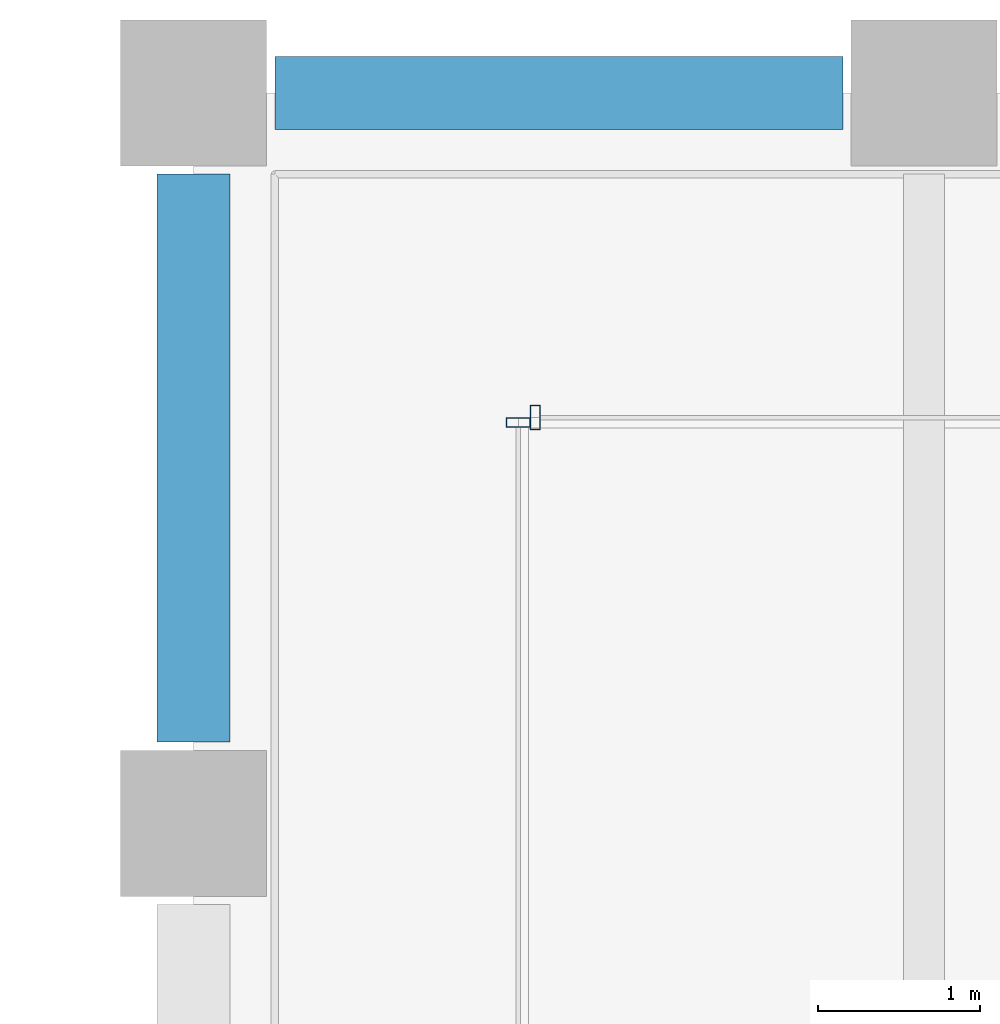
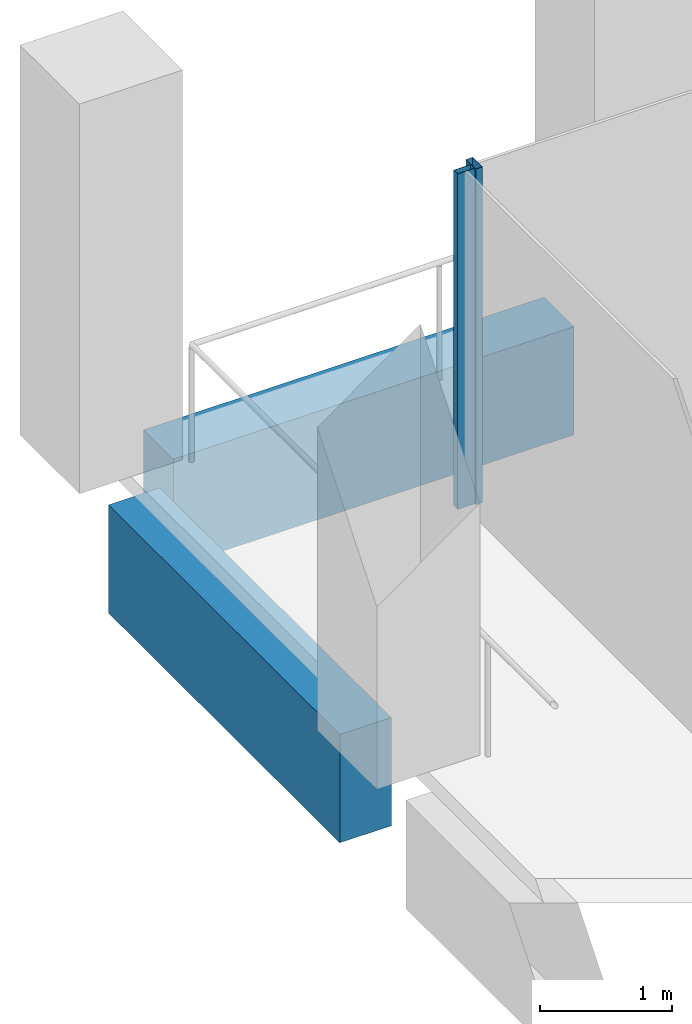
# One storey, part 21 of 44: 2 beams, 2 members, 2 elements without a shape of their own.
"""IFC4 building model written with IfcOpenShell, lengths in metres."""

from ifc_helpers import new_model, si_unit, direction, frame, origin, origin_2d, place, context, subcontext, project, spatial, rectangle, hollow_rectangle, extrude, material, material_profile, profile_set, type_object, element, aggregate, save


model = new_model("IFC4")

# Units and contexts
model_context = context("Model", 3, precision=1e-05, world=origin(), true_north=direction((0.0, 1.0)))
body_context = subcontext(model_context, "Body", "Model", "MODEL_VIEW")
ifc_project = project(units=[si_unit("LENGTHUNIT", "METRE"), si_unit("AREAUNIT", "SQUARE_METRE"), si_unit("VOLUMEUNIT", "CUBIC_METRE"), si_unit("PLANEANGLEUNIT", "RADIAN"), si_unit("MASSUNIT", "GRAM", prefix="KILO")], contexts=[model_context])

# Site, building, storey
site_placement = place(None, origin())
site = spatial("IfcSite", under=ifc_project, at=site_placement, CompositionType="ELEMENT")
building_placement = place(site_placement, origin())
building = spatial("IfcBuilding", under=site, at=building_placement, Name="Altepetl Exchange Towers", CompositionType="ELEMENT")
storey_placement = place(building_placement, frame((0.0, 0.0, 143.800048828125)))
storey = spatial("IfcBuildingStorey", under=building, at=storey_placement, Name="L35", CompositionType="ELEMENT", Elevation=143.800048828125)

# Curtain wall, member
ifc_material_1 = material(Name="Aluminium 6063-T6 glazing", Category="aluminium")
curtain_wall_type = type_object("IfcCurtainWallType", Name="Loggia glazing system", PredefinedType="NOTDEFINED", material=ifc_material_1)
curtain_wall_1_placement = place(storey_placement, origin())
curtain_wall_1 = element("IfcCurtainWall", 1, at=curtain_wall_1_placement, inside=storey, type_object=curtain_wall_type, Name="CW1 run", PredefinedType="NOTDEFINED")
ifc_material_2 = material(Name="Aluminium 6063-T6", Category="aluminium")
ifc_material_profile_1 = material_profile(ifc_material_2, hollow_rectangle(XDim=0.06005859375, YDim=0.14990234375, WallThickness=0.0029296875, at=origin_2d()), Name="Mullion 60x150 aluminium")
ifc_profile_set_1 = profile_set([ifc_material_profile_1], Name="Aluminium 6063-T6")
member_type = type_object("IfcMemberType", Name="Mullion 60x150 aluminium", PredefinedType="MULLION", material=ifc_profile_set_1)
member_1_placement = place(storey_placement, frame((42.60498046875, 70.0, 0.0), z_axis=(0.0, 0.0, 1.0), x_axis=(-1.0, 0.0, 0.0)))
member_1 = element("IfcMember", 2, at=member_1_placement, type_object=member_type, Name="MU1 mullion", PredefinedType="MULLION", context=body_context, shape_type="SweptSolid", body=[
    extrude(hollow_rectangle(XDim=0.06005859375, YDim=0.14990234375, WallThickness=0.0029296875, at=origin_2d()), origin(), (0.0, 0.0, 1.0), 3.099853515625),
])
aggregate(curtain_wall_1, [member_1])

curtain_wall_2_placement = place(storey_placement, origin())
curtain_wall_2 = element("IfcCurtainWall", 3, at=curtain_wall_2_placement, inside=storey, type_object=curtain_wall_type, Name="CW1 run", PredefinedType="NOTDEFINED")
member_2_placement = place(storey_placement, frame((42.5, 69.969970703125, 0.0), z_axis=(0.0, 0.0, 1.0), x_axis=(0.0, -1.0, 0.0)))
member_2 = element("IfcMember", 4, at=member_2_placement, type_object=member_type, Name="MU1 mullion", PredefinedType="MULLION", context=body_context, shape_type="SweptSolid", body=[
    extrude(hollow_rectangle(XDim=0.06005859375, YDim=0.14990234375, WallThickness=0.0029296875, at=origin_2d()), origin(), (0.0, 0.0, 1.0), 3.099853515625),
])
aggregate(curtain_wall_2, [member_2])

# Beams
ifc_material_3 = material(Name="Concrete C50/60 precast with cantera rosa facing", Category="concrete")
ifc_material_profile_2 = material_profile(ifc_material_3, rectangle(XDim=0.449951171875, YDim=1.0, at=origin_2d()), Name="450 x 1000")
ifc_profile_set_2 = profile_set([ifc_material_profile_2], Name="Concrete C50/60 precast with cantera rosa facing")
beam_type_1 = type_object("IfcBeamType", Name="Spandrel beam 450x1000 cantera rosa", PredefinedType="SPANDREL", material=ifc_profile_set_2)
beam_1_placement = place(storey_placement, frame((44.5, 72.0, -0.650146484375), z_axis=(-1.0, 0.0, 0.0), x_axis=(0.0, -1.0, 0.0)))
element("IfcBeam", 5, at=beam_1_placement, inside=storey, type_object=beam_type_1, Name="sp:A:L35:029", PredefinedType="SPANDREL", context=body_context, shape_type="SweptSolid", body=[
    extrude(rectangle(XDim=0.449951171875, YDim=1.0, at=origin_2d()), origin(), (0.0, 0.0, 1.0), 3.5),
])
ifc_material_4 = material(Name="Concrete C50/60 precast with tezontle facing", Category="concrete")
ifc_material_profile_3 = material_profile(ifc_material_4, rectangle(XDim=0.449951171875, YDim=1.0, at=origin_2d()), Name="450 x 1000")
ifc_profile_set_3 = profile_set([ifc_material_profile_3], Name="Concrete C50/60 precast with tezontle facing")
beam_type_2 = type_object("IfcBeamType", Name="Spandrel beam 450x1000 tezontle", PredefinedType="SPANDREL", material=ifc_profile_set_3)
beam_2_placement = place(storey_placement, frame((40.5, 71.5, -0.650146484375), z_axis=(0.0, -1.0, 0.0), x_axis=(1.0, 0.0, 0.0)))
element("IfcBeam", 6, at=beam_2_placement, inside=storey, type_object=beam_type_2, Name="sp:A:L35:030", PredefinedType="SPANDREL", context=body_context, shape_type="SweptSolid", body=[
    extrude(rectangle(XDim=0.449951171875, YDim=1.0, at=origin_2d()), origin(), (0.0, 0.0, 1.0), 3.5),
])

save(model, "model.ifc")
